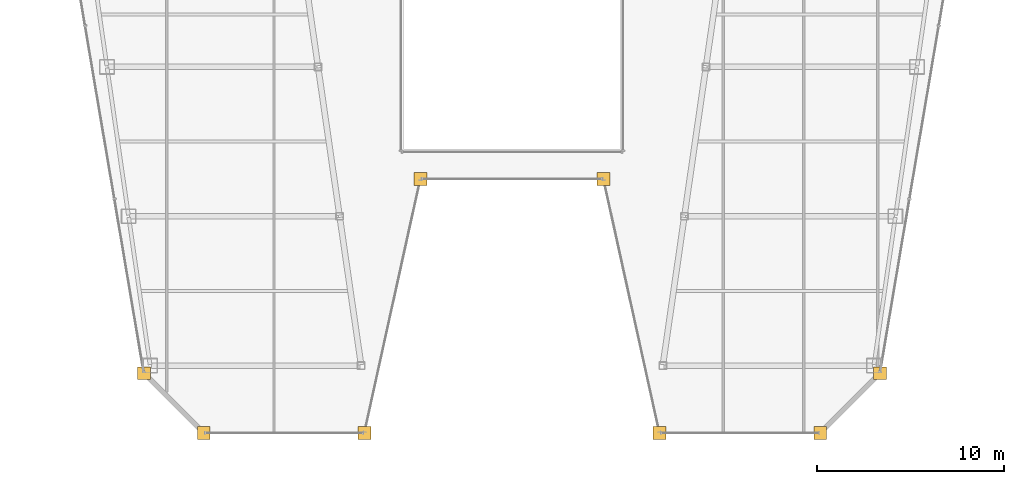
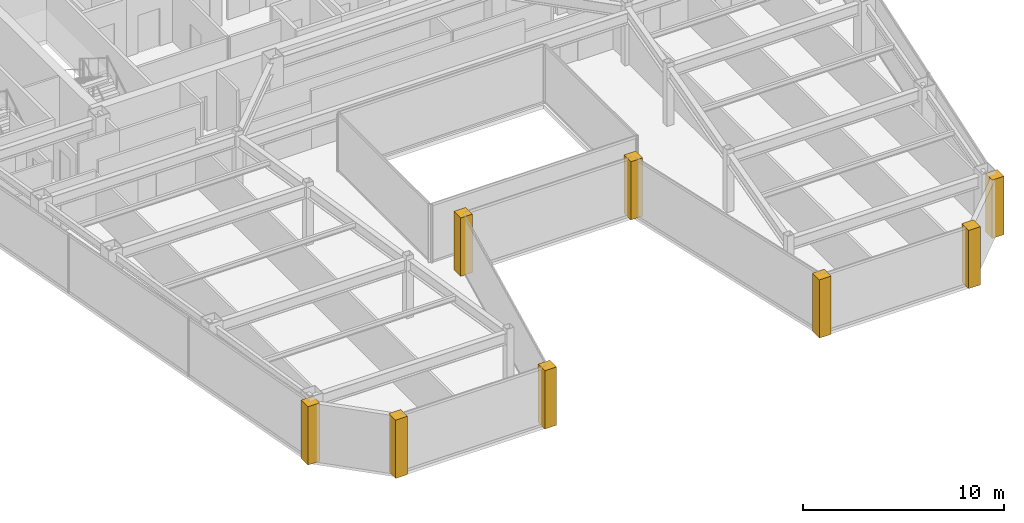
# One storey, part 34 of 36: 8 coverings.
"""IFC4 building model written with IfcOpenShell, lengths in metres."""

from ifc_helpers import new_model, si_unit, direction, frame, origin, place, context, subcontext, project, spatial, polyline, outline, extrude, material, layer, layer_set, type_object, element, save


model = new_model("IFC4")

# Units and contexts
model_context = context("Model", 3, precision=1e-05, world=origin(), true_north=direction((0.0, 1.0)))
body_context = subcontext(model_context, "Body", "Model", "MODEL_VIEW")
ifc_project = project(units=[si_unit("LENGTHUNIT", "METRE"), si_unit("AREAUNIT", "SQUARE_METRE"), si_unit("VOLUMEUNIT", "CUBIC_METRE"), si_unit("PLANEANGLEUNIT", "RADIAN"), si_unit("MASSUNIT", "GRAM", prefix="KILO")], contexts=[model_context])

# Site, building, storey
site_placement = place(None, origin())
site = spatial("IfcSite", under=ifc_project, at=site_placement, CompositionType="ELEMENT")
building_placement = place(site_placement, origin())
building = spatial("IfcBuilding", under=site, at=building_placement, Name="Saevonmaru Cultural Tower", CompositionType="ELEMENT")
storey_placement = place(building_placement, frame((0.0, 0.0, 205.60009765625)))
storey = spatial("IfcBuildingStorey", under=building, at=storey_placement, Name="L47", CompositionType="ELEMENT", Elevation=205.60009765625)

# Coverings
ifc_material = material(Name="Satin Bronze Anodised Aluminium", Category="aluminium")
ifc_layer = layer(ifc_material, 0.679931640625, Name="Satin Bronze Anodised Aluminium")
ifc_layer_set = layer_set([ifc_layer], Name="Satin Bronze Anodised Aluminium")
covering_type = type_object("IfcCoveringType", Name="CV-CORNER-CLAD", PredefinedType="CLADDING", material=ifc_layer_set)
covering_1_placement = place(storey_placement, origin())
element("IfcCovering", 1, at=covering_1_placement, inside=storey, type_object=covering_type, Name="L47 Tower Bronze Corner Cladding Pier 1", PredefinedType="CLADDING", context=body_context, shape_type="SweptSolid", body=[
    extrude(outline(polyline([(9.9580078125, 15.260009765625), (10.637939453125, 15.260009765625), (10.637939453125, 15.93994140625), (9.9580078125, 15.93994140625), (9.9580078125, 15.260009765625)])), origin(), (0.0, 0.0, 1.0), 3.5498046875),
])
covering_2_placement = place(storey_placement, origin())
element("IfcCovering", 2, at=covering_2_placement, inside=storey, type_object=covering_type, Name="L47 Tower Bronze Corner Cladding Pier 2", PredefinedType="CLADDING", context=body_context, shape_type="SweptSolid", body=[
    extrude(outline(polyline([(13.157958984375, 12.06005859375), (13.837890625, 12.06005859375), (13.837890625, 12.739990234375), (13.157958984375, 12.739990234375), (13.157958984375, 12.06005859375)])), origin(), (0.0, 0.0, 1.0), 3.5498046875),
])
covering_3_placement = place(storey_placement, origin())
element("IfcCovering", 3, at=covering_3_placement, inside=storey, type_object=covering_type, Name="L47 Tower Bronze Corner Cladding Pier 3", PredefinedType="CLADDING", context=body_context, shape_type="SweptSolid", body=[
    extrude(outline(polyline([(21.758056640625, 12.06005859375), (22.43798828125, 12.06005859375), (22.43798828125, 12.739990234375), (21.758056640625, 12.739990234375), (21.758056640625, 12.06005859375)])), origin(), (0.0, 0.0, 1.0), 3.5498046875),
])
covering_4_placement = place(storey_placement, origin())
element("IfcCovering", 4, at=covering_4_placement, inside=storey, type_object=covering_type, Name="L47 Tower Bronze Corner Cladding Pier 4", PredefinedType="CLADDING", context=body_context, shape_type="SweptSolid", body=[
    extrude(outline(polyline([(24.758056640625, 25.659912109375), (25.43798828125, 25.659912109375), (25.43798828125, 26.340087890625), (24.758056640625, 26.340087890625), (24.758056640625, 25.659912109375)])), origin(), (0.0, 0.0, 1.0), 3.5498046875),
])
covering_5_placement = place(storey_placement, origin())
element("IfcCovering", 5, at=covering_5_placement, inside=storey, type_object=covering_type, Name="L47 Tower Bronze Corner Cladding Pier 5", PredefinedType="CLADDING", context=body_context, shape_type="SweptSolid", body=[
    extrude(outline(polyline([(34.56201171875, 25.659912109375), (35.241943359375, 25.659912109375), (35.241943359375, 26.340087890625), (34.56201171875, 26.340087890625), (34.56201171875, 25.659912109375)])), origin(), (0.0, 0.0, 1.0), 3.5498046875),
])
covering_6_placement = place(storey_placement, origin())
element("IfcCovering", 6, at=covering_6_placement, inside=storey, type_object=covering_type, Name="L47 Tower Bronze Corner Cladding Pier 6", PredefinedType="CLADDING", context=body_context, shape_type="SweptSolid", body=[
    extrude(outline(polyline([(37.56201171875, 12.06005859375), (38.241943359375, 12.06005859375), (38.241943359375, 12.739990234375), (37.56201171875, 12.739990234375), (37.56201171875, 12.06005859375)])), origin(), (0.0, 0.0, 1.0), 3.5498046875),
])
covering_7_placement = place(storey_placement, origin())
element("IfcCovering", 7, at=covering_7_placement, inside=storey, type_object=covering_type, Name="L47 Tower Bronze Corner Cladding Pier 7", PredefinedType="CLADDING", context=body_context, shape_type="SweptSolid", body=[
    extrude(outline(polyline([(46.162109375, 12.06005859375), (46.842041015625, 12.06005859375), (46.842041015625, 12.739990234375), (46.162109375, 12.739990234375), (46.162109375, 12.06005859375)])), origin(), (0.0, 0.0, 1.0), 3.5498046875),
])
covering_8_placement = place(storey_placement, origin())
element("IfcCovering", 8, at=covering_8_placement, inside=storey, type_object=covering_type, Name="L47 Tower Bronze Corner Cladding Pier 8", PredefinedType="CLADDING", context=body_context, shape_type="SweptSolid", body=[
    extrude(outline(polyline([(49.362060546875, 15.260009765625), (50.0419921875, 15.260009765625), (50.0419921875, 15.93994140625), (49.362060546875, 15.93994140625), (49.362060546875, 15.260009765625)])), origin(), (0.0, 0.0, 1.0), 3.5498046875),
])

save(model, "model.ifc")
